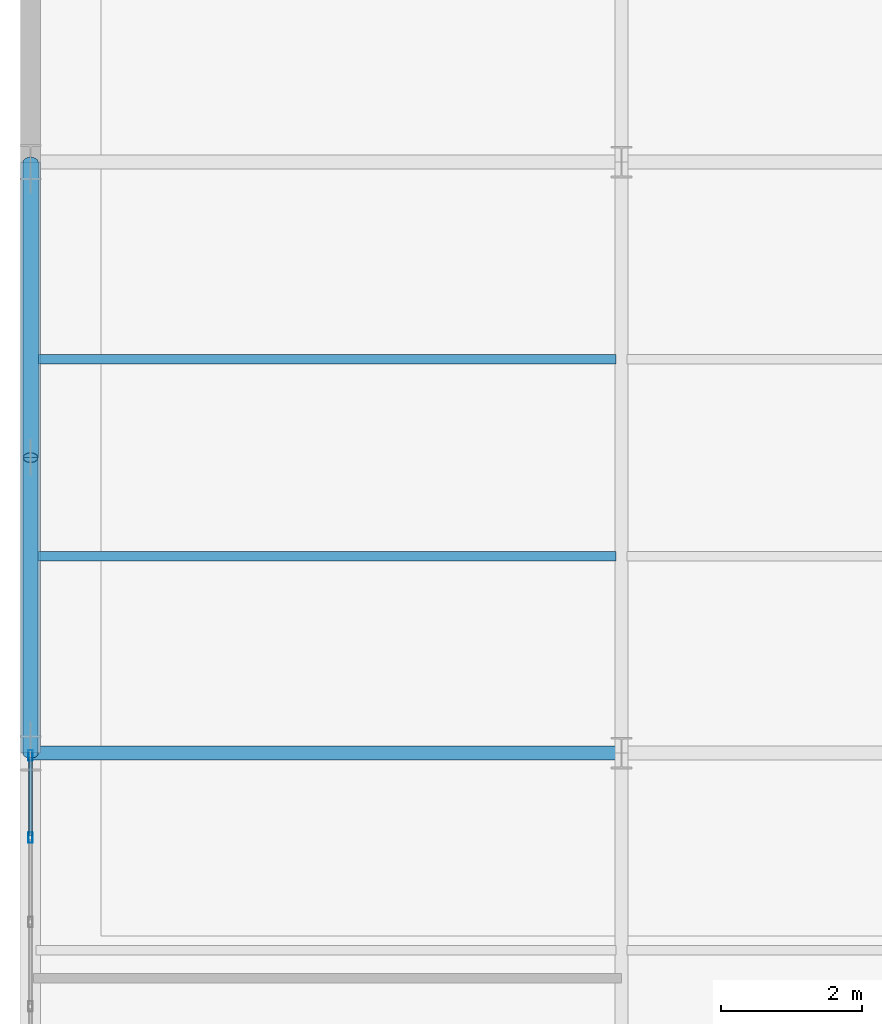
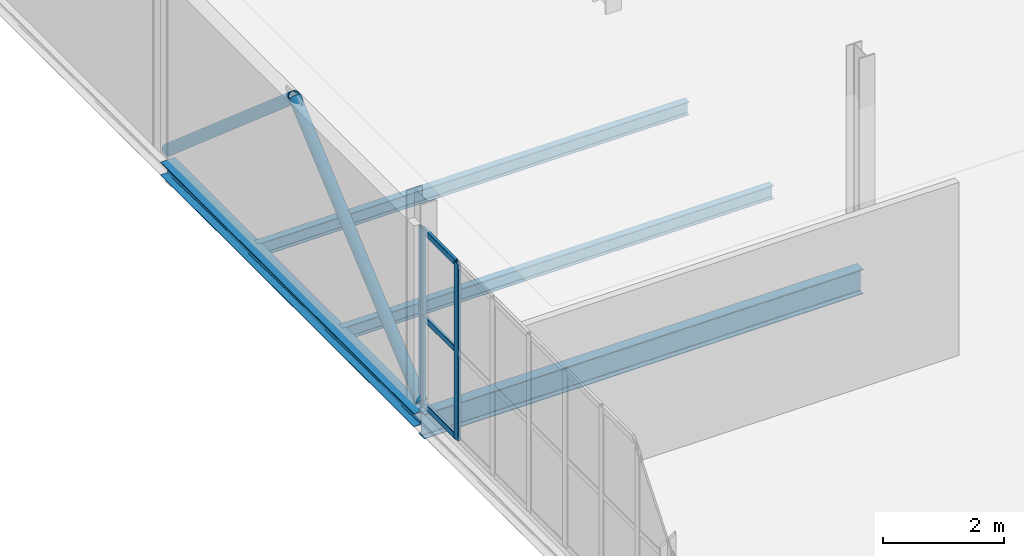
# One storey, part 22 of 69: 7 members, 4 beams, 1 element without a shape of its own.
"""IFC4 building model written with IfcOpenShell, lengths in metres."""

from ifc_helpers import new_model, si_unit, direction, frame, origin, origin_2d, place, context, subcontext, project, spatial, hollow_rectangle, hollow_circle, i_section, extrude, material, layer, layer_set, material_profile, profile_set, type_object, element, aggregate, save


model = new_model("IFC4")

# Units and contexts
model_context = context("Model", 3, precision=1e-05, world=origin(), true_north=direction((0.0, 1.0)))
body_context = subcontext(model_context, "Body", "Model", "MODEL_VIEW")
ifc_project = project(units=[si_unit("LENGTHUNIT", "METRE"), si_unit("AREAUNIT", "SQUARE_METRE"), si_unit("VOLUMEUNIT", "CUBIC_METRE"), si_unit("PLANEANGLEUNIT", "RADIAN"), si_unit("MASSUNIT", "GRAM", prefix="KILO")], contexts=[model_context])

# Site, building, storey
site_placement = place(None, origin())
site = spatial("IfcSite", under=ifc_project, at=site_placement, CompositionType="ELEMENT")
building_placement = place(site_placement, origin())
building = spatial("IfcBuilding", under=site, at=building_placement, Name="Qalvenar Corner Mobility Hub", CompositionType="ELEMENT")
storey_placement = place(building_placement, frame((0.0, 0.0, 13.199951171875)))
storey = spatial("IfcBuildingStorey", under=building, at=storey_placement, Name="L03", CompositionType="ELEMENT", Elevation=13.199951171875)

# Beams
ifc_material_1 = material(Name="Steel S355", Category="steel")
ifc_material_profile_1 = material_profile(ifc_material_1, i_section(OverallWidth=0.199951171875, OverallDepth=0.5, WebThickness=0.01025390625, FlangeThickness=0.01611328125, FilletRadius=0.02099609375, at=origin_2d()), Name="IPE500")
ifc_profile_set_1 = profile_set([ifc_material_profile_1], Name="Steel S355")
beam_type_1 = type_object("IfcBeamType", Name="BM-IPE500", PredefinedType="BEAM", material=ifc_profile_set_1)
beam_1_placement = place(storey_placement, frame((0.0, 25.199951171875, -0.429931640625), z_axis=(1.0, 0.0, 0.0), x_axis=(0.0, 1.0, 0.0)))
element("IfcBeam", 1, at=beam_1_placement, inside=storey, type_object=beam_type_1, Name="Primary Steel Girder GX-2206", PredefinedType="BEAM", context=body_context, shape_type="SweptSolid", body=[
    extrude(i_section(OverallWidth=0.199951171875, OverallDepth=0.5, WebThickness=0.01025390625, FlangeThickness=0.01611328125, FilletRadius=0.02099609375, at=origin_2d()), origin(), (0.0, 0.0, 1.0), 8.39990234375),
])
ifc_material_profile_2 = material_profile(ifc_material_1, i_section(OverallWidth=0.135009765625, OverallDepth=0.27001953125, WebThickness=0.006591796875, FlangeThickness=0.01025390625, FilletRadius=0.014892578125, at=origin_2d()), Name="IPE270")
ifc_profile_set_2 = profile_set([ifc_material_profile_2], Name="Steel S355")
beam_type_2 = type_object("IfcBeamType", Name="BM-JST270", PredefinedType="JOIST", material=ifc_profile_set_2)
for number, where, z_axis, x_axis, name in (
    (2, (0.077880859375, 28.0, -0.31494140625), (1.0, 0.0, 0.0), (0.0, 1.0, 0.0), "Composite Floor Joist J-2266"),
    (3, (0.077880859375, 30.800048828125, -0.31494140625), (1.0, 0.0, 0.0), (0.0, 1.0, 0.0), "Composite Floor Joist J-2267"),
):
    element("IfcBeam", number, at=place(storey_placement, frame(where, z_axis=z_axis, x_axis=x_axis)), inside=storey, type_object=beam_type_2, Name=name, PredefinedType="JOIST", context=body_context, shape_type="SweptSolid", body=[
        extrude(i_section(OverallWidth=0.135009765625, OverallDepth=0.27001953125, WebThickness=0.006591796875, FlangeThickness=0.01025390625, FilletRadius=0.014892578125, at=origin_2d()), origin(), (0.0, 0.0, 1.0), 8.244140625),
    ])
ifc_material_profile_3 = material_profile(ifc_material_1, i_section(OverallWidth=0.280029296875, OverallDepth=0.27001953125, WebThickness=0.008056640625, FlangeThickness=0.012939453125, FilletRadius=0.02392578125, at=origin_2d()), Name="HEA280")
ifc_profile_set_3 = profile_set([ifc_material_profile_3], Name="Steel S355")
beam_type_3 = type_object("IfcBeamType", Name="BM-SPN280", PredefinedType="SPANDREL", material=ifc_profile_set_3)
beam_2_placement = place(storey_placement, frame((0.0, 25.199951171875, -0.31494140625), z_axis=(0.0, 1.0, 0.0), x_axis=(-1.0, 0.0, 0.0)))
element("IfcBeam", 4, at=beam_2_placement, inside=storey, type_object=beam_type_3, Name="Primary Steel Girder GY-2227", PredefinedType="SPANDREL", context=body_context, shape_type="SweptSolid", body=[
    extrude(i_section(OverallWidth=0.280029296875, OverallDepth=0.27001953125, WebThickness=0.008056640625, FlangeThickness=0.012939453125, FilletRadius=0.02392578125, at=origin_2d()), origin(), (0.0, 0.0, 1.0), 8.400146484375),
])

# Members
ifc_material_profile_4 = material_profile(ifc_material_1, hollow_circle(Radius=0.109619140625, WallThickness=0.010009765625, at=origin_2d()), Name="CHS219.1x10")
ifc_profile_set_4 = profile_set([ifc_material_profile_4], Name="Steel S355")
member_type_1 = type_object("IfcMemberType", Name="BR-CHS219", PredefinedType="BRACE", material=ifc_profile_set_4)
for number, where, z_axis, x_axis, name in (
    (5, (0.0, 25.199951171875, 0.02001953125), (0.0, 0.757457263903, 0.652884747379), (-1.0, 0.0, 0.0), "Chevron Lateral Brace BR-017"),
    (6, (0.0, 33.60009765625, 0.02001953125), (0.0, -0.757476031353, 0.652862973315), (1.0, 0.0, 0.0), "Chevron Lateral Brace BR-018"),
):
    element("IfcMember", number, at=place(storey_placement, frame(where, z_axis=z_axis, x_axis=x_axis)), inside=storey, type_object=member_type_1, Name=name, PredefinedType="BRACE", context=body_context, shape_type="SweptSolid", body=[
        extrude(hollow_circle(Radius=0.109619140625, WallThickness=0.010009765625, at=origin_2d()), origin(), (0.0, 0.0, 1.0), 5.544921875),
    ])

# Curtain wall, members
ifc_material_2 = material(Name="Anodised Aluminium and Low-E Glazing", Category="aluminium")
ifc_layer = layer(ifc_material_2, 0.14990234375)
ifc_layer_set = layer_set([ifc_layer], Name="Anodised Aluminium and Low-E Glazing")
curtain_wall_type = type_object("IfcCurtainWallType", Name="CW-CIV-84X40", PredefinedType="NOTDEFINED", material=ifc_layer_set)
curtain_wall_placement = place(storey_placement, origin())
curtain_wall = element("IfcCurtainWall", 7, at=curtain_wall_placement, inside=storey, type_object=curtain_wall_type, Name="Glazed Curtain Wall CW-V3-L03-W2", PredefinedType="NOTDEFINED")
ifc_material_3 = material(Name="Anodised Aluminium 6063-T6", Category="aluminium")
ifc_material_profile_5 = material_profile(ifc_material_3, hollow_rectangle(XDim=0.06005859375, YDim=0.14990234375, WallThickness=0.00390625, InnerFilletRadius=0.00390625, OuterFilletRadius=0.008056640625, at=origin_2d()), Name="RHS150x60x4")
ifc_profile_set_5 = profile_set([ifc_material_profile_5], Name="Anodised Aluminium 6063-T6")
member_type_2 = type_object("IfcMemberType", Name="CW-MUL150", PredefinedType="MULLION", material=ifc_profile_set_5)
member_1_placement = place(storey_placement, frame((0.0, 25.169921875, 0.0), z_axis=(0.0, 0.0, 1.0), x_axis=(1.0, 0.0, 0.0)))
member_1 = element("IfcMember", 8, at=member_1_placement, type_object=member_type_2, Name="CW-05 mullion 1", PredefinedType="MULLION", context=body_context, shape_type="SweptSolid", body=[
    extrude(hollow_rectangle(XDim=0.06005859375, YDim=0.14990234375, WallThickness=0.00390625, InnerFilletRadius=0.00390625, OuterFilletRadius=0.008056640625, at=origin_2d()), origin(), (0.0, 0.0, 1.0), 3.570068359375),
])
member_2_placement = place(storey_placement, frame((0.0, 24.0, 0.0), z_axis=(0.0, 0.0, 1.0), x_axis=(1.0, 0.0, 0.0)))
member_2 = element("IfcMember", 9, at=member_2_placement, type_object=member_type_2, Name="CW-05 mullion 2", PredefinedType="MULLION", context=body_context, shape_type="SweptSolid", body=[
    extrude(hollow_rectangle(XDim=0.06005859375, YDim=0.14990234375, WallThickness=0.00390625, InnerFilletRadius=0.00390625, OuterFilletRadius=0.008056640625, at=origin_2d()), origin(), (0.0, 0.0, 1.0), 3.570068359375),
])
ifc_material_profile_6 = material_profile(ifc_material_3, hollow_rectangle(XDim=0.054931640625, YDim=0.1201171875, WallThickness=0.00341796875, InnerFilletRadius=0.00341796875, OuterFilletRadius=0.007080078125, at=origin_2d()), Name="RHS120x55x3.5")
ifc_profile_set_6 = profile_set([ifc_material_profile_6], Name="Anodised Aluminium 6063-T6")
member_type_3 = type_object("IfcMemberType", Name="CW-TRN120", PredefinedType="USERDEFINED", material=ifc_profile_set_6)
member_3_placement = place(storey_placement, frame((0.0, 25.139892578125, 0.027587890625), z_axis=(0.0, -1.0, 0.0), x_axis=(1.0, 0.0, 0.0)))
member_3 = element("IfcMember", 10, at=member_3_placement, type_object=member_type_3, Name="CW-05 transom 1.1", ObjectType="TRANSOM", PredefinedType="USERDEFINED", context=body_context, shape_type="SweptSolid", body=[
    extrude(hollow_rectangle(XDim=0.054931640625, YDim=0.1201171875, WallThickness=0.00341796875, InnerFilletRadius=0.00341796875, OuterFilletRadius=0.007080078125, at=origin_2d()), origin(), (0.0, 0.0, 1.0), 1.10986328125),
])
member_4_placement = place(storey_placement, frame((0.0, 25.139892578125, 1.78515625), z_axis=(0.0, -1.0, 0.0), x_axis=(1.0, 0.0, 0.0)))
member_4 = element("IfcMember", 11, at=member_4_placement, type_object=member_type_3, Name="CW-05 transom 1.2", ObjectType="TRANSOM", PredefinedType="USERDEFINED", context=body_context, shape_type="SweptSolid", body=[
    extrude(hollow_rectangle(XDim=0.054931640625, YDim=0.1201171875, WallThickness=0.00341796875, InnerFilletRadius=0.00341796875, OuterFilletRadius=0.007080078125, at=origin_2d()), origin(), (0.0, 0.0, 1.0), 1.10986328125),
])
member_5_placement = place(storey_placement, frame((0.0, 25.139892578125, 3.54248046875), z_axis=(0.0, -1.0, 0.0), x_axis=(1.0, 0.0, 0.0)))
member_5 = element("IfcMember", 12, at=member_5_placement, type_object=member_type_3, Name="CW-05 transom 1.3", ObjectType="TRANSOM", PredefinedType="USERDEFINED", context=body_context, shape_type="SweptSolid", body=[
    extrude(hollow_rectangle(XDim=0.054931640625, YDim=0.1201171875, WallThickness=0.00341796875, InnerFilletRadius=0.00341796875, OuterFilletRadius=0.007080078125, at=origin_2d()), origin(), (0.0, 0.0, 1.0), 1.10986328125),
])
aggregate(curtain_wall, [member_1, member_2, member_3, member_4, member_5])

save(model, "model.ifc")
